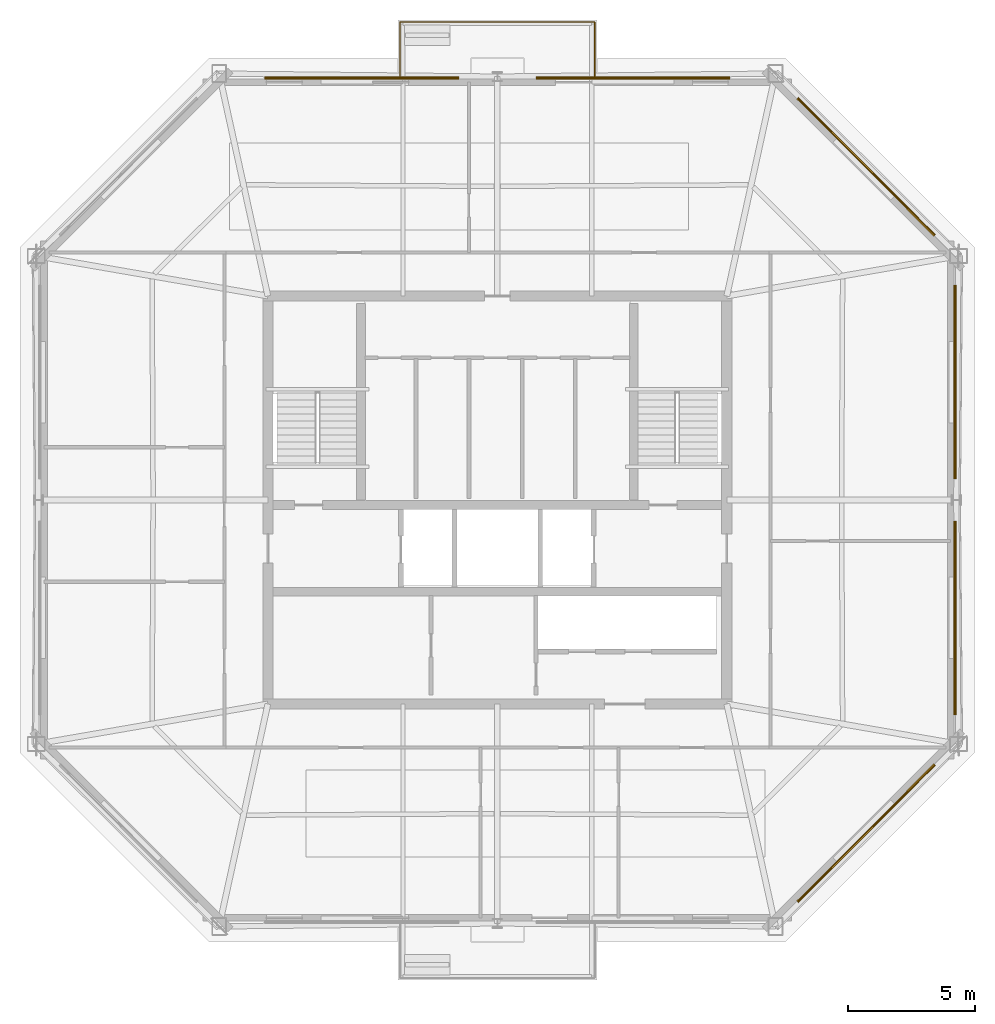
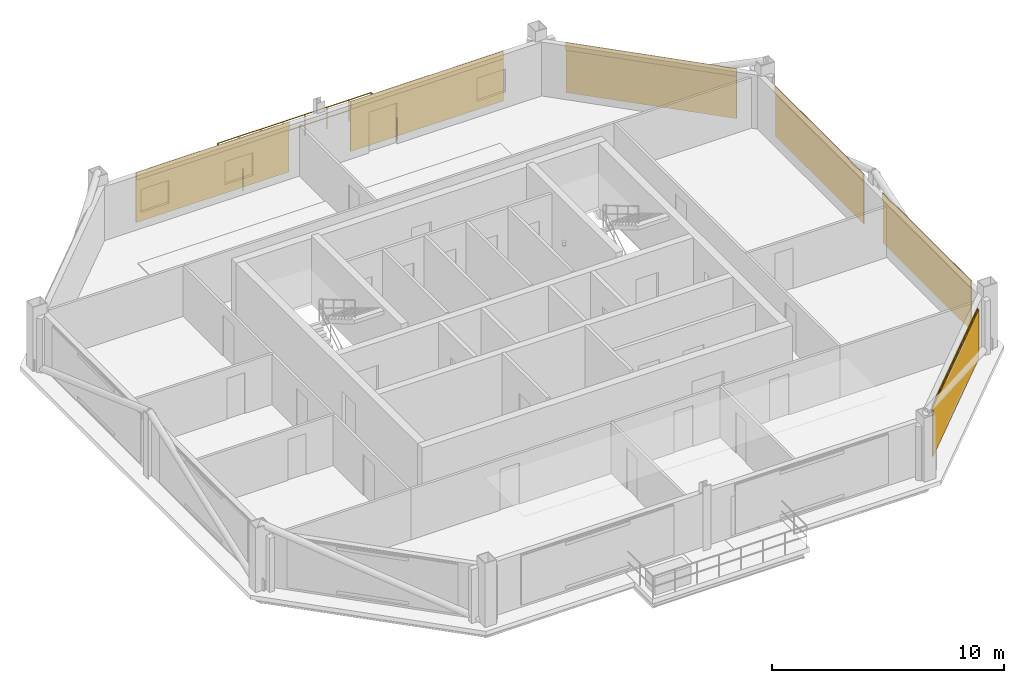
# One storey, part 6 of 6: 6 coverings, 6 shading devices, 1 railing.
"""IFC4 building model written with IfcOpenShell, lengths in metres."""

from ifc_helpers import new_model, si_unit, direction, frame, origin, origin_2d, place, context, subcontext, project, spatial, rectangle, circle, extrude, material, layer, layer_set, type_object, element, save


model = new_model("IFC4")

# Units and contexts
model_context = context("Model", 3, precision=1e-05, world=origin(), true_north=direction((0.0, 1.0)))
body_context = subcontext(model_context, "Body", "Model", "MODEL_VIEW")
ifc_project = project(units=[si_unit("LENGTHUNIT", "METRE"), si_unit("AREAUNIT", "SQUARE_METRE"), si_unit("VOLUMEUNIT", "CUBIC_METRE"), si_unit("PLANEANGLEUNIT", "RADIAN"), si_unit("MASSUNIT", "GRAM", prefix="KILO")], contexts=[model_context])

# Site, building, storey
site_placement = place(None, origin())
site = spatial("IfcSite", under=ifc_project, at=site_placement, CompositionType="ELEMENT")
building_placement = place(site_placement, origin())
building = spatial("IfcBuilding", under=site, at=building_placement, Name="Caelvoria Tower", CompositionType="ELEMENT")
storey_placement = place(building_placement, frame((0.0, 0.0, 261.0)))
storey = spatial("IfcBuildingStorey", under=building, at=storey_placement, Name="L69", CompositionType="ELEMENT", Elevation=261.0)

# Railing
ifc_material_1 = material(Name="Bronze Anodised Aluminium and Stainless Steel", Category="steel")
railing_type = type_object("IfcRailingType", Name="Exterior Terrace and Balcony Guardrail 1150", PredefinedType="GUARDRAIL", material=ifc_material_1)
railing_placement = place(storey_placement, frame((42.179931640625, 48.52734375, 0.0)))
element("IfcRailing", 1, at=railing_placement, inside=storey, type_object=railing_type, Name="Tree Balcony Guardrail TB-L69-N", PredefinedType="GUARDRAIL", context=body_context, shape_type="SweptSolid", body=[
    extrude(circle(Radius=0.02392578125, at=origin_2d()), frame((0.0, 0.0, 1.1259765625), z_axis=(0.0, 1.0, 0.0), x_axis=(-1.0, 0.0, 0.0)), (0.0, 0.0, 1.0), 2.219970703125),
    extrude(circle(Radius=0.02392578125, at=origin_2d()), frame((0.0, 0.0, 0.574951171875), z_axis=(0.0, 1.0, 0.0), x_axis=(-1.0, 0.0, 0.0)), (0.0, 0.0, 1.0), 2.219970703125),
    extrude(circle(Radius=0.02392578125, at=origin_2d()), frame((0.0, 2.219970703125, 1.1259765625), z_axis=(1.0, 0.0, 0.0), x_axis=(0.0, 1.0, 0.0)), (0.0, 0.0, 1.0), 7.64013671875),
    extrude(circle(Radius=0.02392578125, at=origin_2d()), frame((0.0, 2.219970703125, 0.574951171875), z_axis=(1.0, 0.0, 0.0), x_axis=(0.0, 1.0, 0.0)), (0.0, 0.0, 1.0), 7.64013671875),
    extrude(circle(Radius=0.02392578125, at=origin_2d()), frame((7.64013671875, 2.219970703125, 1.1259765625), z_axis=(0.0, -1.0, 0.0), x_axis=(1.0, 0.0, 0.0)), (0.0, 0.0, 1.0), 2.219970703125),
    extrude(circle(Radius=0.02392578125, at=origin_2d()), frame((7.64013671875, 2.219970703125, 0.574951171875), z_axis=(0.0, -1.0, 0.0), x_axis=(1.0, 0.0, 0.0)), (0.0, 0.0, 1.0), 2.219970703125),
    extrude(circle(Radius=0.02099609375, at=origin_2d()), origin(), (0.0, 0.0, 1.0), 1.101806640625),
    extrude(circle(Radius=0.02099609375, at=origin_2d()), frame((0.0, 1.10986328125, 0.0)), (0.0, 0.0, 1.0), 1.101806640625),
    extrude(circle(Radius=0.02099609375, at=origin_2d()), frame((0.0, 2.219970703125, 0.0)), (0.0, 0.0, 1.0), 1.101806640625),
    extrude(circle(Radius=0.02099609375, at=origin_2d()), frame((1.091552734375, 2.219970703125, 0.0)), (0.0, 0.0, 1.0), 1.101806640625),
    extrude(circle(Radius=0.02099609375, at=origin_2d()), frame((2.182861328125, 2.219970703125, 0.0)), (0.0, 0.0, 1.0), 1.101806640625),
    extrude(circle(Radius=0.02099609375, at=origin_2d()), frame((3.2744140625, 2.219970703125, 0.0)), (0.0, 0.0, 1.0), 1.101806640625),
    extrude(circle(Radius=0.02099609375, at=origin_2d()), frame((4.36572265625, 2.219970703125, 0.0)), (0.0, 0.0, 1.0), 1.101806640625),
    extrude(circle(Radius=0.02099609375, at=origin_2d()), frame((5.457275390625, 2.219970703125, 0.0)), (0.0, 0.0, 1.0), 1.101806640625),
    extrude(circle(Radius=0.02099609375, at=origin_2d()), frame((6.548583984375, 2.219970703125, 0.0)), (0.0, 0.0, 1.0), 1.101806640625),
    extrude(circle(Radius=0.02099609375, at=origin_2d()), frame((7.64013671875, 2.219970703125, 0.0)), (0.0, 0.0, 1.0), 1.101806640625),
    extrude(circle(Radius=0.02099609375, at=origin_2d()), frame((7.64013671875, 1.10986328125, 0.0)), (0.0, 0.0, 1.0), 1.101806640625),
    extrude(circle(Radius=0.02099609375, at=origin_2d()), frame((7.64013671875, 0.0, 0.0)), (0.0, 0.0, 1.0), 1.101806640625),
])

# Coverings
ifc_material_2 = material(Name="Perforated Architectural Bronze Cladding Screen", Category="bronze")
ifc_layer_1 = layer(ifc_material_2, 0.0400390625, Name="Perforated Architectural Bronze Cladding Screen")
ifc_layer_set_1 = layer_set([ifc_layer_1], Name="Perforated Bronze Louvre Cladding Band 40 - Perforated Architectural Bronze Cladding Screen")
covering_type = type_object("IfcCoveringType", Name="Perforated Bronze Louvre Cladding Band 40", PredefinedType="CLADDING", material=ifc_layer_set_1)
for number, where, z_axis, x_axis, name in (
    (2, (60.451171875, 18.9443359375, 2.412109375), (0.0, 0.0, 1.0), (0.707106781187, 0.707106781187, 0.0), "Perforated Bronze Screen Band L69-E1-00"),
    (3, (63.92724609375, 27.37548828125, 2.412109375), (0.0, 0.0, 1.0), (0.0, 1.0, 0.0), "Perforated Bronze Screen Band L69-E2-00"),
    (4, (63.92724609375, 36.62451171875, 2.412109375), (0.0, 0.0, 1.0), (0.0, 1.0, 0.0), "Perforated Bronze Screen Band L69-E2-01"),
    (5, (60.451171875, 45.0556640625, 2.412109375), (0.0, 0.0, 1.0), (-0.707106781187, 0.707106781187, 0.0), "Perforated Bronze Screen Band L69-E3-00"),
    (6, (51.322265625, 48.53173828125, 2.412109375), (0.0, 0.0, 1.0), (-1.0, 0.0, 0.0), "Perforated Bronze Screen Band L69-E4-00"),
    (7, (40.677734375, 48.53173828125, 2.412109375), (0.0, 0.0, 1.0), (-1.0, 0.0, 0.0), "Perforated Bronze Screen Band L69-E4-01"),
):
    element("IfcCovering", number, at=place(storey_placement, frame(where, z_axis=z_axis, x_axis=x_axis)), inside=storey, type_object=covering_type, Name=name, PredefinedType="CLADDING", context=body_context, shape_type="SweptSolid", body=[
        extrude(rectangle(XDim=7.60009765625, YDim=0.0400390625, at=origin_2d()), origin(), (0.0, 0.0, 1.0), 0.39990234375),
    ])

# Shading devices
ifc_material_3 = material(Name="Perforated Architectural Bronze Alloy Panel", Category="bronze")
ifc_layer_2 = layer(ifc_material_3, 0.044921875, Name="Perforated Architectural Bronze Alloy Panel")
ifc_layer_set_2 = layer_set([ifc_layer_2], Name="Perforated Bronze Solar Screen Panel SCREEN - Perforated Architectural Bronze Alloy Panel")
shading_device_type = type_object("IfcShadingDeviceType", Name="Perforated Bronze Solar Screen Panel SCREEN", PredefinedType="USERDEFINED", material=ifc_layer_set_2)
for number, where, z_axis, x_axis, name in (
    (8, (60.4814453125, 18.913818359375, 0.16015625), (0.0, 0.0, 1.0), (0.707106781187, 0.707106781187, 0.0), "Perforated Bronze Solar Screen L69-E1-00"),
    (9, (63.97021484375, 27.37548828125, 0.16015625), (0.0, 0.0, 1.0), (0.0, 1.0, 0.0), "Perforated Bronze Solar Screen L69-E2-00"),
    (10, (63.97021484375, 36.62451171875, 0.16015625), (0.0, 0.0, 1.0), (0.0, 1.0, 0.0), "Perforated Bronze Solar Screen L69-E2-01"),
    (11, (60.4814453125, 45.086181640625, 0.16015625), (0.0, 0.0, 1.0), (-0.707106781187, 0.707106781187, 0.0), "Perforated Bronze Solar Screen L69-E3-00"),
    (12, (51.322265625, 48.57470703125, 0.16015625), (0.0, 0.0, 1.0), (-1.0, 0.0, 0.0), "Perforated Bronze Solar Screen L69-E4-00"),
    (13, (40.677734375, 48.57470703125, 0.16015625), (0.0, 0.0, 1.0), (-1.0, 0.0, 0.0), "Perforated Bronze Solar Screen L69-E4-01"),
):
    element("IfcShadingDevice", number, at=place(storey_placement, frame(where, z_axis=z_axis, x_axis=x_axis)), inside=storey, type_object=shading_device_type, Name=name, ObjectType="SCREEN", PredefinedType="USERDEFINED", context=body_context, shape_type="SweptSolid", body=[
        extrude(rectangle(XDim=7.60009765625, YDim=0.044921875, at=origin_2d()), origin(), (0.0, 0.0, 1.0), 2.592041015625),
    ])

save(model, "model.ifc")
